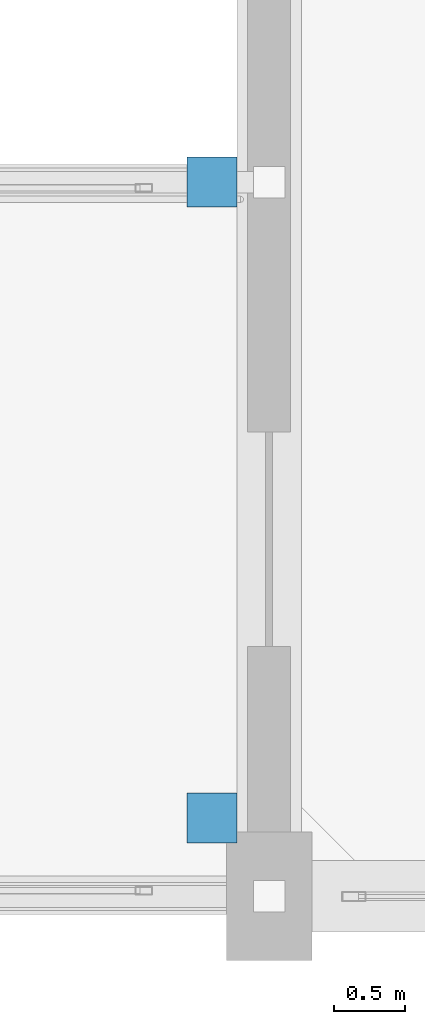
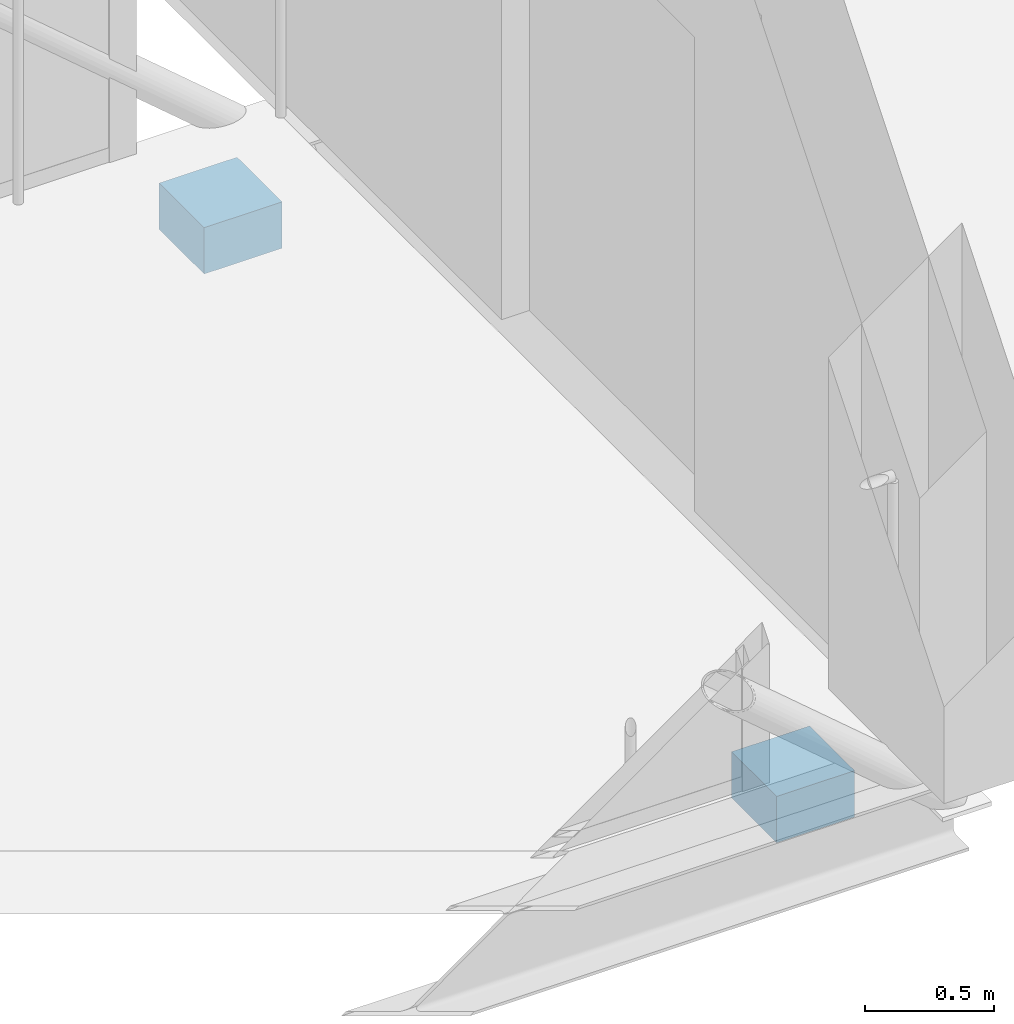
# One storey, part 234 of 248: 2 discrete accessories.
"""IFC4 building model written with IfcOpenShell, lengths in metres."""

from ifc_helpers import new_model, si_unit, direction, frame, origin, origin_2d, place, context, subcontext, project, spatial, rectangle, extrude, material, type_object, element, save


model = new_model("IFC4")

# Units and contexts
model_context = context("Model", 3, precision=1e-05, world=origin(), true_north=direction((0.0, 1.0)))
body_context = subcontext(model_context, "Body", "Model", "MODEL_VIEW")
ifc_project = project(units=[si_unit("LENGTHUNIT", "METRE"), si_unit("AREAUNIT", "SQUARE_METRE"), si_unit("VOLUMEUNIT", "CUBIC_METRE"), si_unit("PLANEANGLEUNIT", "RADIAN"), si_unit("MASSUNIT", "GRAM", prefix="KILO")], contexts=[model_context])

# Site, building, storey
site_placement = place(None, origin())
site = spatial("IfcSite", under=ifc_project, at=site_placement, CompositionType="ELEMENT")
building_placement = place(site_placement, origin())
building = spatial("IfcBuilding", under=site, at=building_placement, Name="Canggui Botanical Conservatory", CompositionType="ELEMENT")
storey_placement = place(building_placement, frame((0.0, 0.0, 5.39990234375)))
storey = spatial("IfcBuildingStorey", under=building, at=storey_placement, Name="L02", CompositionType="ELEMENT", Elevation=5.39990234375)

# Discrete accessories
ifc_material = material(Name="Steel Q355B", Category="steel")
discrete_accessory_type = type_object("IfcDiscreteAccessoryType", Name="ACC-SBN01", PredefinedType="SHOE", material=ifc_material)
for number, where, z_axis, x_axis, name in (
    (1, (129.60009765625, 26.550048828125, -0.58984375), (0.0, 0.0, 1.0), (1.0, 0.0, 0.0), "Unguided Bidirectional PTFE Sliding Bearing SBN-01-1"),
    (2, (129.60009765625, 31.0, -0.58984375), (0.0, 0.0, 1.0), (1.0, 0.0, 0.0), "Unguided Bidirectional PTFE Sliding Bearing SBN-01-2"),
):
    element("IfcDiscreteAccessory", number, at=place(storey_placement, frame(where, z_axis=z_axis, x_axis=x_axis)), inside=storey, type_object=discrete_accessory_type, Name=name, PredefinedType="SHOE", context=body_context, shape_type="SweptSolid", body=[
        extrude(rectangle(XDim=0.35009765625, YDim=0.35009765625, at=origin_2d()), origin(), (0.0, 0.0, 1.0), 0.219970703125),
    ])

save(model, "model.ifc")
